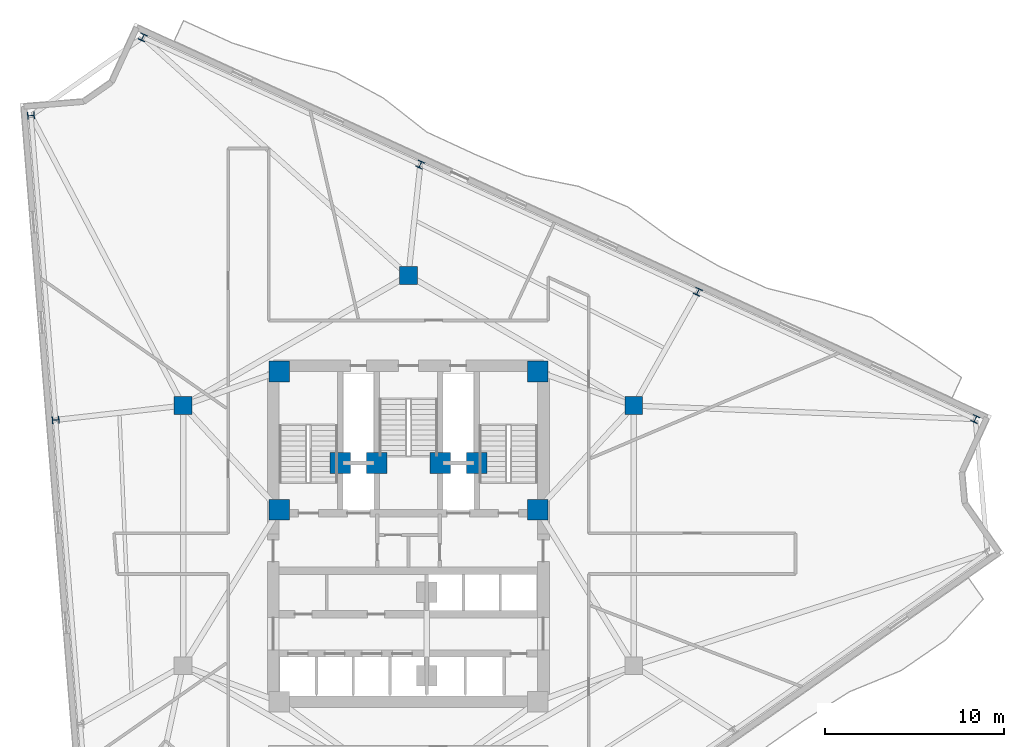
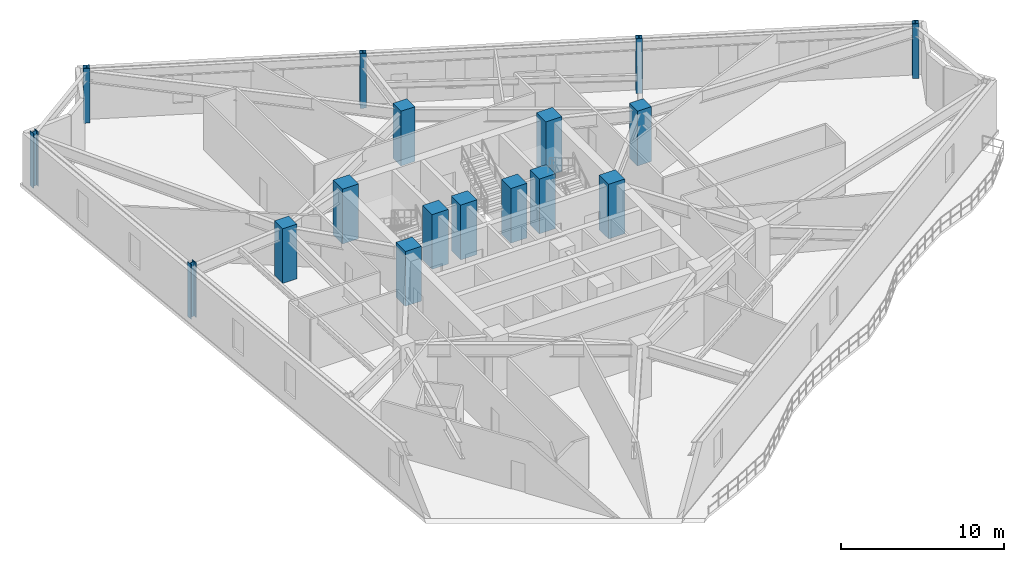
# One storey, part 2 of 10: 17 columns.
"""IFC4 building model written with IfcOpenShell, lengths in metres."""

from ifc_helpers import new_model, si_unit, direction, frame, origin, origin_2d, place, context, subcontext, project, spatial, rectangle, i_section, extrude, material, material_profile, profile_set, type_object, element, save


model = new_model("IFC4")

# Units and contexts
model_context = context("Model", 3, precision=1e-05, world=origin(), true_north=direction((0.0, 1.0)))
body_context = subcontext(model_context, "Body", "Model", "MODEL_VIEW")
ifc_project = project(units=[si_unit("LENGTHUNIT", "METRE"), si_unit("AREAUNIT", "SQUARE_METRE"), si_unit("VOLUMEUNIT", "CUBIC_METRE"), si_unit("PLANEANGLEUNIT", "RADIAN"), si_unit("MASSUNIT", "GRAM", prefix="KILO")], contexts=[model_context])

# Site, building, storey
site_placement = place(None, origin())
site = spatial("IfcSite", under=ifc_project, at=site_placement, CompositionType="ELEMENT")
building_placement = place(site_placement, origin())
building = spatial("IfcBuilding", under=site, at=building_placement, Name="Apsidion Concourse Tower", CompositionType="ELEMENT")
storey_placement = place(building_placement, frame((0.0, 0.0, 210.60009765625)))
storey = spatial("IfcBuildingStorey", under=building, at=storey_placement, Name="L49", CompositionType="ELEMENT", Elevation=210.60009765625)

# Columns
ifc_material_1 = material(Name="Concrete C50/60", Category="concrete")
ifc_material_profile_1 = material_profile(ifc_material_1, rectangle(XDim=1.0, YDim=1.0, at=origin_2d()), Name="RC 1000x1000")
ifc_profile_set_1 = profile_set([ifc_material_profile_1], Name="Concrete C50/60")
column_type_1 = type_object("IfcColumnType", Name="COL-RC-1000", PredefinedType="COLUMN", material=ifc_profile_set_1)
for number, where, z_axis, x_axis, name in (
    (1, (12.56005859375, 7.25, 0.0), (0.0, 0.0, 1.0), (1.0, 0.0, 0.0), "L49 Interior Spine Column IC3"),
    (2, (0.0, 14.5, 0.0), (0.0, 0.0, 1.0), (1.0, 0.0, 0.0), "L49 Interior Spine Column IC4"),
    (3, (-12.56005859375, 7.25, 0.0), (0.0, 0.0, 1.0), (1.0, 0.0, 0.0), "L49 Interior Spine Column IC5"),
):
    element("IfcColumn", number, at=place(storey_placement, frame(where, z_axis=z_axis, x_axis=x_axis)), inside=storey, type_object=column_type_1, Name=name, PredefinedType="COLUMN", context=body_context, shape_type="SweptSolid", body=[
        extrude(rectangle(XDim=1.0, YDim=1.0, at=origin_2d()), origin(), (0.0, 0.0, 1.0), 4.099853515625),
    ])
ifc_material_profile_2 = material_profile(ifc_material_1, rectangle(XDim=1.14990234375, YDim=1.14990234375, at=origin_2d()), Name="RC 1150x1150")
ifc_profile_set_2 = profile_set([ifc_material_profile_2], Name="Concrete C50/60")
column_type_2 = type_object("IfcColumnType", Name="COL-RC-1150", PredefinedType="COLUMN", material=ifc_profile_set_2)
for number, where, z_axis, x_axis, name in (
    (4, (7.199951171875, 1.449951171875, 0.0), (0.0, 0.0, 1.0), (1.0, 0.0, 0.0), "L49 Core Super-Column SC3"),
    (5, (7.199951171875, 9.14990234375, 0.0), (0.0, 0.0, 1.0), (1.0, 0.0, 0.0), "L49 Core Super-Column SC4"),
    (6, (-7.199951171875, 9.14990234375, 0.0), (0.0, 0.0, 1.0), (1.0, 0.0, 0.0), "L49 Core Super-Column SC5"),
    (7, (-7.199951171875, 1.449951171875, 0.0), (0.0, 0.0, 1.0), (1.0, 0.0, 0.0), "L49 Core Super-Column SC6"),
    (8, (-3.800048828125, 4.050048828125, 0.0), (0.0, 0.0, 1.0), (1.0, 0.0, 0.0), "L49 Core Super-Column CC1"),
    (9, (3.800048828125, 4.050048828125, 0.0), (0.0, 0.0, 1.0), (1.0, 0.0, 0.0), "L49 Core Super-Column CC2"),
    (10, (-1.77490234375, 4.050048828125, 0.0), (0.0, 0.0, 1.0), (1.0, 0.0, 0.0), "L49 Core Super-Column CC3"),
    (11, (1.77490234375, 4.050048828125, 0.0), (0.0, 0.0, 1.0), (1.0, 0.0, 0.0), "L49 Core Super-Column CC4"),
):
    element("IfcColumn", number, at=place(storey_placement, frame(where, z_axis=z_axis, x_axis=x_axis)), inside=storey, type_object=column_type_2, Name=name, PredefinedType="COLUMN", context=body_context, shape_type="SweptSolid", body=[
        extrude(rectangle(XDim=1.14990234375, YDim=1.14990234375, at=origin_2d()), origin(), (0.0, 0.0, 1.0), 4.099853515625),
    ])
ifc_material_2 = material(Name="Structural steel ASTM A992 Grade 50", Category="steel")
ifc_material_profile_3 = material_profile(ifc_material_2, i_section(OverallWidth=0.39892578125, OverallDepth=0.385986328125, WebThickness=0.02099609375, FlangeThickness=0.033203125, at=origin_2d()), Name="W14X176")
ifc_profile_set_3 = profile_set([ifc_material_profile_3], Name="Structural steel ASTM A992 Grade 50")
column_type_3 = type_object("IfcColumnType", Name="COL-W14-176", PredefinedType="COLUMN", material=ifc_profile_set_3)
for number, where, z_axis, x_axis, name in (
    (12, (-21.03759765625, 23.412841796875, 0.0), (0.0, 0.0, 1.0), (-0.080720825512, 0.996736749763, 0.0), "L49 Rotated Perimeter Column PC01"),
    (13, (-19.66357421875, 6.451171875, 0.0), (0.0, 0.0, 1.0), (-0.080720825512, 0.996736749763, 0.0), "L49 Rotated Perimeter Column PC02"),
    (14, (31.600830078125, 6.499267578125, 0.0), (0.0, 0.0, 1.0), (-0.909018020308, 0.416756810089, 0.0), "L49 Rotated Perimeter Column PC09"),
    (15, (16.132080078125, 13.591796875, 0.0), (0.0, 0.0, 1.0), (-0.909018020308, 0.416756810089, 0.0), "L49 Rotated Perimeter Column PC10"),
    (16, (0.663330078125, 20.68408203125, 0.0), (0.0, 0.0, 1.0), (-0.909018020308, 0.416756810089, 0.0), "L49 Rotated Perimeter Column PC11"),
    (17, (-14.805419921875, 27.776611328125, 0.0), (0.0, 0.0, 1.0), (-0.909018020308, 0.416756810089, 0.0), "L49 Rotated Perimeter Column PC12"),
):
    element("IfcColumn", number, at=place(storey_placement, frame(where, z_axis=z_axis, x_axis=x_axis)), inside=storey, type_object=column_type_3, Name=name, PredefinedType="COLUMN", context=body_context, shape_type="SweptSolid", body=[
        extrude(i_section(OverallWidth=0.39892578125, OverallDepth=0.385986328125, WebThickness=0.02099609375, FlangeThickness=0.033203125, at=origin_2d()), origin(), (0.0, 0.0, 1.0), 4.099853515625),
    ])

save(model, "model.ifc")
